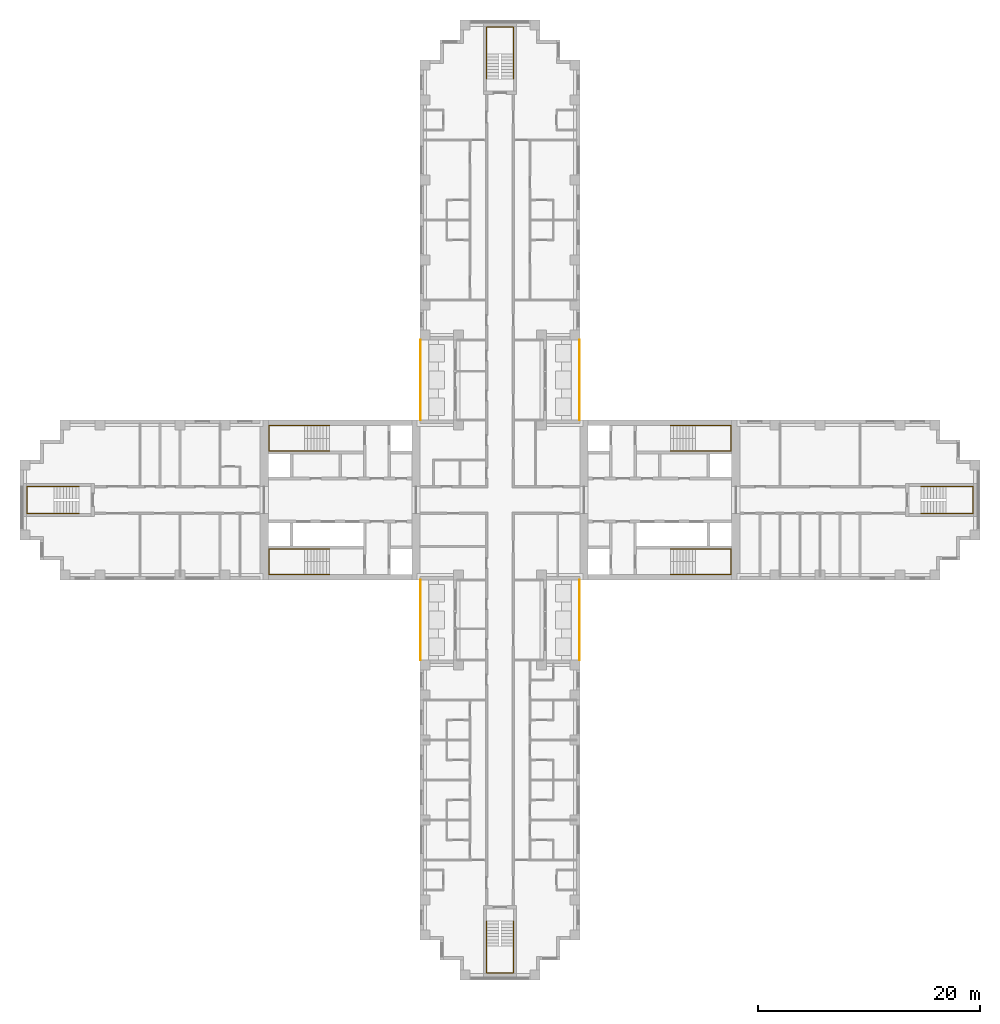
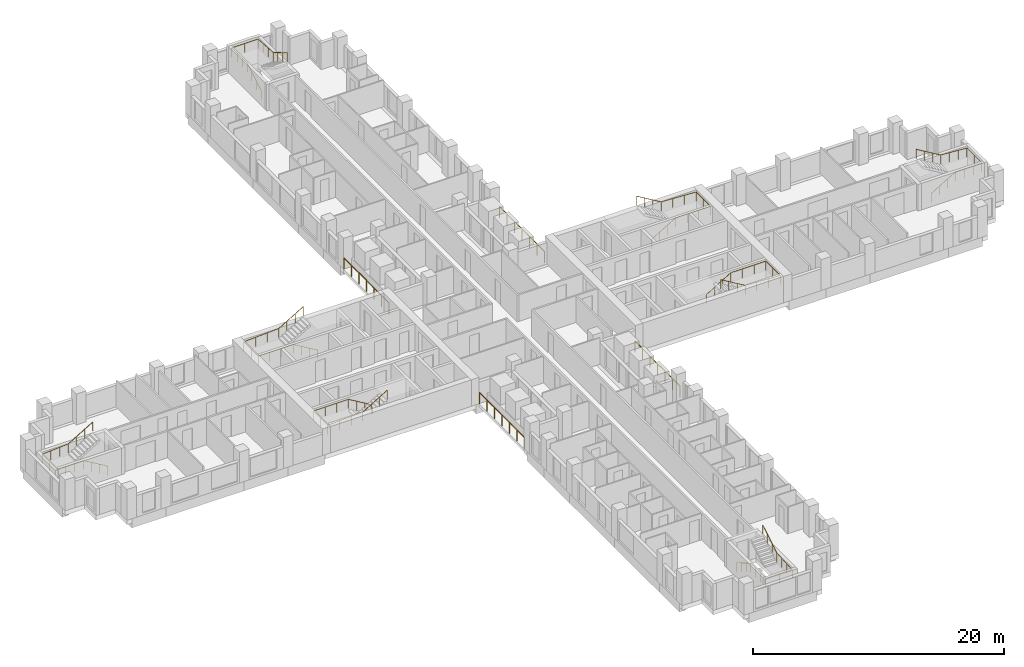
# One storey, part 15 of 16: 12 railings.
"""IFC4 building model written with IfcOpenShell, lengths in metres."""

from ifc_helpers import new_model, si_unit, direction, frame, origin, origin_2d, place, context, subcontext, project, spatial, circle, extrude, material, type_object, element, save


model = new_model("IFC4")

# Units and contexts
model_context = context("Model", 3, precision=1e-05, world=origin(), true_north=direction((0.0, 1.0)))
body_context = subcontext(model_context, "Body", "Model", "MODEL_VIEW")
ifc_project = project(units=[si_unit("LENGTHUNIT", "METRE"), si_unit("AREAUNIT", "SQUARE_METRE"), si_unit("VOLUMEUNIT", "CUBIC_METRE"), si_unit("PLANEANGLEUNIT", "RADIAN"), si_unit("MASSUNIT", "GRAM", prefix="KILO")], contexts=[model_context])

# Site, building, storey
site_placement = place(None, origin())
site = spatial("IfcSite", under=ifc_project, at=site_placement, CompositionType="ELEMENT")
building_placement = place(site_placement, origin())
building = spatial("IfcBuilding", under=site, at=building_placement, Name="Fustian Cross Tower", CompositionType="ELEMENT")
storey_placement = place(building_placement, frame((0.0, 0.0, 23.699951171875)))
storey = spatial("IfcBuildingStorey", under=building, at=storey_placement, Name="L06", CompositionType="ELEMENT", Elevation=23.699951171875)

# Railings
ifc_material_1 = material(Name="Stainless steel and glass", Category="steel")
railing_type_1 = type_object("IfcRailingType", Name="GR1 BALCONY GUARD 1100", PredefinedType="GUARDRAIL", material=ifc_material_1)
for number, where, name in (
    (1, (7.14990234375, 7.199951171875, 0.0), "Balcony guard"),
    (2, (-7.14990234375, 7.199951171875, 0.0), "Balcony guard"),
    (3, (7.14990234375, -14.39990234375, 0.0), "Balcony guard"),
    (4, (-7.14990234375, -14.39990234375, 0.0), "Balcony guard"),
):
    element("IfcRailing", number, at=place(storey_placement, frame(where)), inside=storey, type_object=railing_type_1, Name=name, PredefinedType="GUARDRAIL", context=body_context, shape_type="SweptSolid", body=[
        extrude(circle(Radius=0.02392578125, at=origin_2d()), frame((0.0, 0.0, 1.076171875), z_axis=(0.0, 1.0, 0.0), x_axis=(-1.0, 0.0, 0.0)), (0.0, 0.0, 1.0), 7.199951171875),
        extrude(circle(Radius=0.02099609375, at=origin_2d()), origin(), (0.0, 0.0, 1.0), 1.052001953125),
        extrude(circle(Radius=0.02099609375, at=origin_2d()), frame((0.0, 1.199951171875, 0.0)), (0.0, 0.0, 1.0), 1.052001953125),
        extrude(circle(Radius=0.02099609375, at=origin_2d()), frame((0.0, 2.39990234375, 0.0)), (0.0, 0.0, 1.0), 1.052001953125),
        extrude(circle(Radius=0.02099609375, at=origin_2d()), frame((0.0, 3.60009765625, 0.0)), (0.0, 0.0, 1.0), 1.052001953125),
        extrude(circle(Radius=0.02099609375, at=origin_2d()), frame((0.0, 4.800048828125, 0.0)), (0.0, 0.0, 1.0), 1.052001953125),
        extrude(circle(Radius=0.02099609375, at=origin_2d()), frame((0.0, 6.0, 0.0)), (0.0, 0.0, 1.0), 1.052001953125),
        extrude(circle(Radius=0.02099609375, at=origin_2d()), frame((0.0, 7.199951171875, 0.0)), (0.0, 0.0, 1.0), 1.052001953125),
    ])
ifc_material_2 = material(Name="Stainless steel", Category="steel")
railing_type_2 = type_object("IfcRailingType", Name="STAIR HANDRAIL", PredefinedType="HANDRAIL", material=ifc_material_2)
railing_1_placement = place(storey_placement, frame((15.35009765625, 4.39990234375, 0.166748046875)))
element("IfcRailing", 5, at=railing_1_placement, inside=storey, type_object=railing_type_2, Name="Stair ST1 handrail 1", PredefinedType="HANDRAIL", context=body_context, shape_type="SweptSolid", body=[
    extrude(circle(Radius=0.02490234375, at=origin_2d()), frame((0.0, 0.0, 0.875), z_axis=(0.859305625298, 0.0, 0.511462454469), x_axis=(0.0, 1.0, 0.0)), (0.0, 0.0, 1.0), 2.606689453125),
    extrude(circle(Radius=0.02490234375, at=origin_2d()), frame((2.239990234375, 0.0, 2.2080078125), z_axis=(1.0, 0.0, 0.0), x_axis=(0.0, 1.0, 0.0)), (0.0, 0.0, 1.0), 3.219970703125),
    extrude(circle(Radius=0.02490234375, at=origin_2d()), frame((5.4599609375, 0.0, 2.2080078125), z_axis=(0.0, 1.0, 0.0), x_axis=(-1.0, 0.0, 0.0)), (0.0, 0.0, 1.0), 2.300048828125),
    extrude(circle(Radius=0.02490234375, at=origin_2d()), frame((5.4599609375, 2.300048828125, 2.2080078125), z_axis=(-0.998661817807, 0.0, 0.051716280352), x_axis=(0.0, -1.0, 0.0)), (0.0, 0.0, 1.0), 3.224365234375),
    extrude(circle(Radius=0.02490234375, at=origin_2d()), frame((2.239990234375, 2.300048828125, 2.375), z_axis=(-0.859305625298, 0.0, 0.511462454469), x_axis=(0.0, -1.0, 0.0)), (0.0, 0.0, 1.0), 2.606689453125),
    extrude(circle(Radius=0.02001953125, at=origin_2d()), origin(), (0.0, 0.0, 1.0), 0.849853515625),
    extrude(circle(Radius=0.02001953125, at=origin_2d()), frame((0.74658203125, 0.0, 0.4443359375)), (0.0, 0.0, 1.0), 0.849853515625),
    extrude(circle(Radius=0.02001953125, at=origin_2d()), frame((1.493408203125, 0.0, 0.888916015625)), (0.0, 0.0, 1.0), 0.849853515625),
    extrude(circle(Radius=0.02001953125, at=origin_2d()), frame((2.239990234375, 0.0, 1.333251953125)), (0.0, 0.0, 1.0), 0.849853515625),
    extrude(circle(Radius=0.02001953125, at=origin_2d()), frame((3.313232421875, 0.0, 1.333251953125)), (0.0, 0.0, 1.0), 0.849853515625),
    extrude(circle(Radius=0.02001953125, at=origin_2d()), frame((4.38671875, 0.0, 1.333251953125)), (0.0, 0.0, 1.0), 0.849853515625),
    extrude(circle(Radius=0.02001953125, at=origin_2d()), frame((5.4599609375, 0.0, 1.333251953125)), (0.0, 0.0, 1.0), 0.849853515625),
    extrude(circle(Radius=0.02001953125, at=origin_2d()), frame((5.4599609375, 1.14990234375, 1.333251953125)), (0.0, 0.0, 1.0), 0.849853515625),
    extrude(circle(Radius=0.02001953125, at=origin_2d()), frame((5.4599609375, 2.300048828125, 1.333251953125)), (0.0, 0.0, 1.0), 0.849853515625),
    extrude(circle(Radius=0.02001953125, at=origin_2d()), frame((4.38671875, 2.300048828125, 1.388916015625)), (0.0, 0.0, 1.0), 0.849853515625),
    extrude(circle(Radius=0.02001953125, at=origin_2d()), frame((3.313232421875, 2.300048828125, 1.4443359375)), (0.0, 0.0, 1.0), 0.849853515625),
    extrude(circle(Radius=0.02001953125, at=origin_2d()), frame((2.239990234375, 2.300048828125, 1.5)), (0.0, 0.0, 1.0), 0.849853515625),
    extrude(circle(Radius=0.02001953125, at=origin_2d()), frame((1.493408203125, 2.300048828125, 1.9443359375)), (0.0, 0.0, 1.0), 0.849853515625),
    extrude(circle(Radius=0.02001953125, at=origin_2d()), frame((0.74658203125, 2.300048828125, 2.388916015625)), (0.0, 0.0, 1.0), 0.849853515625),
    extrude(circle(Radius=0.02001953125, at=origin_2d()), frame((0.0, 2.300048828125, 2.833251953125)), (0.0, 0.0, 1.0), 0.849853515625),
])
railing_2_placement = place(storey_placement, frame((15.35009765625, -4.39990234375, 0.166748046875)))
element("IfcRailing", 6, at=railing_2_placement, inside=storey, type_object=railing_type_2, Name="Stair ST2 handrail 1", PredefinedType="HANDRAIL", context=body_context, shape_type="SweptSolid", body=[
    extrude(circle(Radius=0.02490234375, at=origin_2d()), frame((0.0, 0.0, 0.875), z_axis=(0.859305625298, 0.0, 0.511462454469), x_axis=(0.0, 1.0, 0.0)), (0.0, 0.0, 1.0), 2.606689453125),
    extrude(circle(Radius=0.02490234375, at=origin_2d()), frame((2.239990234375, 0.0, 2.2080078125), z_axis=(1.0, 0.0, 0.0), x_axis=(0.0, 1.0, 0.0)), (0.0, 0.0, 1.0), 3.219970703125),
    extrude(circle(Radius=0.02490234375, at=origin_2d()), frame((5.4599609375, 0.0, 2.2080078125), z_axis=(0.0, -1.0, 0.0), x_axis=(1.0, 0.0, 0.0)), (0.0, 0.0, 1.0), 2.300048828125),
    extrude(circle(Radius=0.02490234375, at=origin_2d()), frame((5.4599609375, -2.300048828125, 2.2080078125), z_axis=(-0.998661817807, 0.0, 0.051716280352), x_axis=(0.0, -1.0, 0.0)), (0.0, 0.0, 1.0), 3.224365234375),
    extrude(circle(Radius=0.02490234375, at=origin_2d()), frame((2.239990234375, -2.300048828125, 2.375), z_axis=(-0.859305625298, 0.0, 0.511462454469), x_axis=(0.0, -1.0, 0.0)), (0.0, 0.0, 1.0), 2.606689453125),
    extrude(circle(Radius=0.02001953125, at=origin_2d()), origin(), (0.0, 0.0, 1.0), 0.849853515625),
    extrude(circle(Radius=0.02001953125, at=origin_2d()), frame((0.74658203125, 0.0, 0.4443359375)), (0.0, 0.0, 1.0), 0.849853515625),
    extrude(circle(Radius=0.02001953125, at=origin_2d()), frame((1.493408203125, 0.0, 0.888916015625)), (0.0, 0.0, 1.0), 0.849853515625),
    extrude(circle(Radius=0.02001953125, at=origin_2d()), frame((2.239990234375, 0.0, 1.333251953125)), (0.0, 0.0, 1.0), 0.849853515625),
    extrude(circle(Radius=0.02001953125, at=origin_2d()), frame((3.313232421875, 0.0, 1.333251953125)), (0.0, 0.0, 1.0), 0.849853515625),
    extrude(circle(Radius=0.02001953125, at=origin_2d()), frame((4.38671875, 0.0, 1.333251953125)), (0.0, 0.0, 1.0), 0.849853515625),
    extrude(circle(Radius=0.02001953125, at=origin_2d()), frame((5.4599609375, 0.0, 1.333251953125)), (0.0, 0.0, 1.0), 0.849853515625),
    extrude(circle(Radius=0.02001953125, at=origin_2d()), frame((5.4599609375, -1.14990234375, 1.333251953125)), (0.0, 0.0, 1.0), 0.849853515625),
    extrude(circle(Radius=0.02001953125, at=origin_2d()), frame((5.4599609375, -2.300048828125, 1.333251953125)), (0.0, 0.0, 1.0), 0.849853515625),
    extrude(circle(Radius=0.02001953125, at=origin_2d()), frame((4.38671875, -2.300048828125, 1.388916015625)), (0.0, 0.0, 1.0), 0.849853515625),
    extrude(circle(Radius=0.02001953125, at=origin_2d()), frame((3.313232421875, -2.300048828125, 1.4443359375)), (0.0, 0.0, 1.0), 0.849853515625),
    extrude(circle(Radius=0.02001953125, at=origin_2d()), frame((2.239990234375, -2.300048828125, 1.5)), (0.0, 0.0, 1.0), 0.849853515625),
    extrude(circle(Radius=0.02001953125, at=origin_2d()), frame((1.493408203125, -2.300048828125, 1.9443359375)), (0.0, 0.0, 1.0), 0.849853515625),
    extrude(circle(Radius=0.02001953125, at=origin_2d()), frame((0.74658203125, -2.300048828125, 2.388916015625)), (0.0, 0.0, 1.0), 0.849853515625),
    extrude(circle(Radius=0.02001953125, at=origin_2d()), frame((0.0, -2.300048828125, 2.833251953125)), (0.0, 0.0, 1.0), 0.849853515625),
])
railing_3_placement = place(storey_placement, frame((-15.35009765625, 4.39990234375, 0.166748046875)))
element("IfcRailing", 7, at=railing_3_placement, inside=storey, type_object=railing_type_2, Name="Stair ST3 handrail 1", PredefinedType="HANDRAIL", context=body_context, shape_type="SweptSolid", body=[
    extrude(circle(Radius=0.02490234375, at=origin_2d()), frame((0.0, 0.0, 0.875), z_axis=(-0.859305625298, 0.0, 0.511462454469), x_axis=(0.0, -1.0, 0.0)), (0.0, 0.0, 1.0), 2.606689453125),
    extrude(circle(Radius=0.02490234375, at=origin_2d()), frame((-2.239990234375, 0.0, 2.2080078125), z_axis=(-1.0, 0.0, 0.0), x_axis=(0.0, -1.0, 0.0)), (0.0, 0.0, 1.0), 3.219970703125),
    extrude(circle(Radius=0.02490234375, at=origin_2d()), frame((-5.4599609375, 0.0, 2.2080078125), z_axis=(0.0, 1.0, 0.0), x_axis=(-1.0, 0.0, 0.0)), (0.0, 0.0, 1.0), 2.300048828125),
    extrude(circle(Radius=0.02490234375, at=origin_2d()), frame((-5.4599609375, 2.300048828125, 2.2080078125), z_axis=(0.998661817807, 0.0, 0.051716280352), x_axis=(0.0, 1.0, 0.0)), (0.0, 0.0, 1.0), 3.224365234375),
    extrude(circle(Radius=0.02490234375, at=origin_2d()), frame((-2.239990234375, 2.300048828125, 2.375), z_axis=(0.859305625298, 0.0, 0.511462454469), x_axis=(0.0, 1.0, 0.0)), (0.0, 0.0, 1.0), 2.606689453125),
    extrude(circle(Radius=0.02001953125, at=origin_2d()), origin(), (0.0, 0.0, 1.0), 0.849853515625),
    extrude(circle(Radius=0.02001953125, at=origin_2d()), frame((-0.74658203125, 0.0, 0.4443359375)), (0.0, 0.0, 1.0), 0.849853515625),
    extrude(circle(Radius=0.02001953125, at=origin_2d()), frame((-1.493408203125, 0.0, 0.888916015625)), (0.0, 0.0, 1.0), 0.849853515625),
    extrude(circle(Radius=0.02001953125, at=origin_2d()), frame((-2.239990234375, 0.0, 1.333251953125)), (0.0, 0.0, 1.0), 0.849853515625),
    extrude(circle(Radius=0.02001953125, at=origin_2d()), frame((-3.313232421875, 0.0, 1.333251953125)), (0.0, 0.0, 1.0), 0.849853515625),
    extrude(circle(Radius=0.02001953125, at=origin_2d()), frame((-4.38671875, 0.0, 1.333251953125)), (0.0, 0.0, 1.0), 0.849853515625),
    extrude(circle(Radius=0.02001953125, at=origin_2d()), frame((-5.4599609375, 0.0, 1.333251953125)), (0.0, 0.0, 1.0), 0.849853515625),
    extrude(circle(Radius=0.02001953125, at=origin_2d()), frame((-5.4599609375, 1.14990234375, 1.333251953125)), (0.0, 0.0, 1.0), 0.849853515625),
    extrude(circle(Radius=0.02001953125, at=origin_2d()), frame((-5.4599609375, 2.300048828125, 1.333251953125)), (0.0, 0.0, 1.0), 0.849853515625),
    extrude(circle(Radius=0.02001953125, at=origin_2d()), frame((-4.38671875, 2.300048828125, 1.388916015625)), (0.0, 0.0, 1.0), 0.849853515625),
    extrude(circle(Radius=0.02001953125, at=origin_2d()), frame((-3.313232421875, 2.300048828125, 1.4443359375)), (0.0, 0.0, 1.0), 0.849853515625),
    extrude(circle(Radius=0.02001953125, at=origin_2d()), frame((-2.239990234375, 2.300048828125, 1.5)), (0.0, 0.0, 1.0), 0.849853515625),
    extrude(circle(Radius=0.02001953125, at=origin_2d()), frame((-1.493408203125, 2.300048828125, 1.9443359375)), (0.0, 0.0, 1.0), 0.849853515625),
    extrude(circle(Radius=0.02001953125, at=origin_2d()), frame((-0.74658203125, 2.300048828125, 2.388916015625)), (0.0, 0.0, 1.0), 0.849853515625),
    extrude(circle(Radius=0.02001953125, at=origin_2d()), frame((0.0, 2.300048828125, 2.833251953125)), (0.0, 0.0, 1.0), 0.849853515625),
])
railing_4_placement = place(storey_placement, frame((-15.35009765625, -4.39990234375, 0.166748046875)))
element("IfcRailing", 8, at=railing_4_placement, inside=storey, type_object=railing_type_2, Name="Stair ST4 handrail 1", PredefinedType="HANDRAIL", context=body_context, shape_type="SweptSolid", body=[
    extrude(circle(Radius=0.02490234375, at=origin_2d()), frame((0.0, 0.0, 0.875), z_axis=(-0.859305625298, 0.0, 0.511462454469), x_axis=(0.0, -1.0, 0.0)), (0.0, 0.0, 1.0), 2.606689453125),
    extrude(circle(Radius=0.02490234375, at=origin_2d()), frame((-2.239990234375, 0.0, 2.2080078125), z_axis=(-1.0, 0.0, 0.0), x_axis=(0.0, -1.0, 0.0)), (0.0, 0.0, 1.0), 3.219970703125),
    extrude(circle(Radius=0.02490234375, at=origin_2d()), frame((-5.4599609375, 0.0, 2.2080078125), z_axis=(0.0, -1.0, 0.0), x_axis=(1.0, 0.0, 0.0)), (0.0, 0.0, 1.0), 2.300048828125),
    extrude(circle(Radius=0.02490234375, at=origin_2d()), frame((-5.4599609375, -2.300048828125, 2.2080078125), z_axis=(0.998661817807, 0.0, 0.051716280352), x_axis=(0.0, 1.0, 0.0)), (0.0, 0.0, 1.0), 3.224365234375),
    extrude(circle(Radius=0.02490234375, at=origin_2d()), frame((-2.239990234375, -2.300048828125, 2.375), z_axis=(0.859305625298, 0.0, 0.511462454469), x_axis=(0.0, 1.0, 0.0)), (0.0, 0.0, 1.0), 2.606689453125),
    extrude(circle(Radius=0.02001953125, at=origin_2d()), origin(), (0.0, 0.0, 1.0), 0.849853515625),
    extrude(circle(Radius=0.02001953125, at=origin_2d()), frame((-0.74658203125, 0.0, 0.4443359375)), (0.0, 0.0, 1.0), 0.849853515625),
    extrude(circle(Radius=0.02001953125, at=origin_2d()), frame((-1.493408203125, 0.0, 0.888916015625)), (0.0, 0.0, 1.0), 0.849853515625),
    extrude(circle(Radius=0.02001953125, at=origin_2d()), frame((-2.239990234375, 0.0, 1.333251953125)), (0.0, 0.0, 1.0), 0.849853515625),
    extrude(circle(Radius=0.02001953125, at=origin_2d()), frame((-3.313232421875, 0.0, 1.333251953125)), (0.0, 0.0, 1.0), 0.849853515625),
    extrude(circle(Radius=0.02001953125, at=origin_2d()), frame((-4.38671875, 0.0, 1.333251953125)), (0.0, 0.0, 1.0), 0.849853515625),
    extrude(circle(Radius=0.02001953125, at=origin_2d()), frame((-5.4599609375, 0.0, 1.333251953125)), (0.0, 0.0, 1.0), 0.849853515625),
    extrude(circle(Radius=0.02001953125, at=origin_2d()), frame((-5.4599609375, -1.14990234375, 1.333251953125)), (0.0, 0.0, 1.0), 0.849853515625),
    extrude(circle(Radius=0.02001953125, at=origin_2d()), frame((-5.4599609375, -2.300048828125, 1.333251953125)), (0.0, 0.0, 1.0), 0.849853515625),
    extrude(circle(Radius=0.02001953125, at=origin_2d()), frame((-4.38671875, -2.300048828125, 1.388916015625)), (0.0, 0.0, 1.0), 0.849853515625),
    extrude(circle(Radius=0.02001953125, at=origin_2d()), frame((-3.313232421875, -2.300048828125, 1.4443359375)), (0.0, 0.0, 1.0), 0.849853515625),
    extrude(circle(Radius=0.02001953125, at=origin_2d()), frame((-2.239990234375, -2.300048828125, 1.5)), (0.0, 0.0, 1.0), 0.849853515625),
    extrude(circle(Radius=0.02001953125, at=origin_2d()), frame((-1.493408203125, -2.300048828125, 1.9443359375)), (0.0, 0.0, 1.0), 0.849853515625),
    extrude(circle(Radius=0.02001953125, at=origin_2d()), frame((-0.74658203125, -2.300048828125, 2.388916015625)), (0.0, 0.0, 1.0), 0.849853515625),
    extrude(circle(Radius=0.02001953125, at=origin_2d()), frame((0.0, -2.300048828125, 2.833251953125)), (0.0, 0.0, 1.0), 0.849853515625),
])
railing_5_placement = place(storey_placement, frame((-1.199951171875, 37.89990234375, 0.166748046875)))
element("IfcRailing", 9, at=railing_5_placement, inside=storey, type_object=railing_type_2, Name="Stair ST5 handrail 1", PredefinedType="HANDRAIL", context=body_context, shape_type="SweptSolid", body=[
    extrude(circle(Radius=0.02490234375, at=origin_2d()), frame((0.0, 0.0, 0.875), z_axis=(0.0, 0.859305625298, 0.511462454469), x_axis=(-1.0, 0.0, 0.0)), (0.0, 0.0, 1.0), 2.606689453125),
    extrude(circle(Radius=0.02490234375, at=origin_2d()), frame((0.0, 2.239990234375, 2.2080078125), z_axis=(0.0, 1.0, 0.0), x_axis=(-1.0, 0.0, 0.0)), (0.0, 0.0, 1.0), 2.420166015625),
    extrude(circle(Radius=0.02490234375, at=origin_2d()), frame((0.0, 4.66015625, 2.2080078125), z_axis=(1.0, 0.0, 0.0), x_axis=(0.0, 1.0, 0.0)), (0.0, 0.0, 1.0), 2.39990234375),
    extrude(circle(Radius=0.02490234375, at=origin_2d()), frame((2.39990234375, 4.66015625, 2.2080078125), z_axis=(0.0, -0.997634852044, 0.068736467663), x_axis=(1.0, 0.0, 0.0)), (0.0, 0.0, 1.0), 2.426025390625),
    extrude(circle(Radius=0.02490234375, at=origin_2d()), frame((2.39990234375, 2.239990234375, 2.375), z_axis=(0.0, -0.859305625298, 0.511462454469), x_axis=(1.0, 0.0, 0.0)), (0.0, 0.0, 1.0), 2.606689453125),
    extrude(circle(Radius=0.02001953125, at=origin_2d()), origin(), (0.0, 0.0, 1.0), 0.849853515625),
    extrude(circle(Radius=0.02001953125, at=origin_2d()), frame((0.0, 0.74658203125, 0.4443359375)), (0.0, 0.0, 1.0), 0.849853515625),
    extrude(circle(Radius=0.02001953125, at=origin_2d()), frame((0.0, 1.493408203125, 0.888916015625)), (0.0, 0.0, 1.0), 0.849853515625),
    extrude(circle(Radius=0.02001953125, at=origin_2d()), frame((0.0, 2.239990234375, 1.333251953125)), (0.0, 0.0, 1.0), 0.849853515625),
    extrude(circle(Radius=0.02001953125, at=origin_2d()), frame((0.0, 3.046630859375, 1.333251953125)), (0.0, 0.0, 1.0), 0.849853515625),
    extrude(circle(Radius=0.02001953125, at=origin_2d()), frame((0.0, 3.853515625, 1.333251953125)), (0.0, 0.0, 1.0), 0.849853515625),
    extrude(circle(Radius=0.02001953125, at=origin_2d()), frame((0.0, 4.66015625, 1.333251953125)), (0.0, 0.0, 1.0), 0.849853515625),
    extrude(circle(Radius=0.02001953125, at=origin_2d()), frame((1.199951171875, 4.66015625, 1.333251953125)), (0.0, 0.0, 1.0), 0.849853515625),
    extrude(circle(Radius=0.02001953125, at=origin_2d()), frame((2.39990234375, 4.66015625, 1.333251953125)), (0.0, 0.0, 1.0), 0.849853515625),
    extrude(circle(Radius=0.02001953125, at=origin_2d()), frame((2.39990234375, 3.853515625, 1.388916015625)), (0.0, 0.0, 1.0), 0.849853515625),
    extrude(circle(Radius=0.02001953125, at=origin_2d()), frame((2.39990234375, 3.046630859375, 1.4443359375)), (0.0, 0.0, 1.0), 0.849853515625),
    extrude(circle(Radius=0.02001953125, at=origin_2d()), frame((2.39990234375, 2.239990234375, 1.5)), (0.0, 0.0, 1.0), 0.849853515625),
    extrude(circle(Radius=0.02001953125, at=origin_2d()), frame((2.39990234375, 1.493408203125, 1.9443359375)), (0.0, 0.0, 1.0), 0.849853515625),
    extrude(circle(Radius=0.02001953125, at=origin_2d()), frame((2.39990234375, 0.74658203125, 2.388916015625)), (0.0, 0.0, 1.0), 0.849853515625),
    extrude(circle(Radius=0.02001953125, at=origin_2d()), frame((2.39990234375, 0.0, 2.833251953125)), (0.0, 0.0, 1.0), 0.849853515625),
])
railing_6_placement = place(storey_placement, frame((-1.199951171875, -37.89990234375, 0.166748046875)))
element("IfcRailing", 10, at=railing_6_placement, inside=storey, type_object=railing_type_2, Name="Stair ST6 handrail 1", PredefinedType="HANDRAIL", context=body_context, shape_type="SweptSolid", body=[
    extrude(circle(Radius=0.02490234375, at=origin_2d()), frame((0.0, 0.0, 0.875), z_axis=(0.0, -0.859305625298, 0.511462454469), x_axis=(1.0, 0.0, 0.0)), (0.0, 0.0, 1.0), 2.606689453125),
    extrude(circle(Radius=0.02490234375, at=origin_2d()), frame((0.0, -2.239990234375, 2.2080078125), z_axis=(0.0, -1.0, 0.0), x_axis=(1.0, 0.0, 0.0)), (0.0, 0.0, 1.0), 2.420166015625),
    extrude(circle(Radius=0.02490234375, at=origin_2d()), frame((0.0, -4.66015625, 2.2080078125), z_axis=(1.0, 0.0, 0.0), x_axis=(0.0, 1.0, 0.0)), (0.0, 0.0, 1.0), 2.39990234375),
    extrude(circle(Radius=0.02490234375, at=origin_2d()), frame((2.39990234375, -4.66015625, 2.2080078125), z_axis=(0.0, 0.997634852044, 0.068736467663), x_axis=(-1.0, 0.0, 0.0)), (0.0, 0.0, 1.0), 2.426025390625),
    extrude(circle(Radius=0.02490234375, at=origin_2d()), frame((2.39990234375, -2.239990234375, 2.375), z_axis=(0.0, 0.859305625298, 0.511462454469), x_axis=(-1.0, 0.0, 0.0)), (0.0, 0.0, 1.0), 2.606689453125),
    extrude(circle(Radius=0.02001953125, at=origin_2d()), origin(), (0.0, 0.0, 1.0), 0.849853515625),
    extrude(circle(Radius=0.02001953125, at=origin_2d()), frame((0.0, -0.74658203125, 0.4443359375)), (0.0, 0.0, 1.0), 0.849853515625),
    extrude(circle(Radius=0.02001953125, at=origin_2d()), frame((0.0, -1.493408203125, 0.888916015625)), (0.0, 0.0, 1.0), 0.849853515625),
    extrude(circle(Radius=0.02001953125, at=origin_2d()), frame((0.0, -2.239990234375, 1.333251953125)), (0.0, 0.0, 1.0), 0.849853515625),
    extrude(circle(Radius=0.02001953125, at=origin_2d()), frame((0.0, -3.046630859375, 1.333251953125)), (0.0, 0.0, 1.0), 0.849853515625),
    extrude(circle(Radius=0.02001953125, at=origin_2d()), frame((0.0, -3.853515625, 1.333251953125)), (0.0, 0.0, 1.0), 0.849853515625),
    extrude(circle(Radius=0.02001953125, at=origin_2d()), frame((0.0, -4.66015625, 1.333251953125)), (0.0, 0.0, 1.0), 0.849853515625),
    extrude(circle(Radius=0.02001953125, at=origin_2d()), frame((1.199951171875, -4.66015625, 1.333251953125)), (0.0, 0.0, 1.0), 0.849853515625),
    extrude(circle(Radius=0.02001953125, at=origin_2d()), frame((2.39990234375, -4.66015625, 1.333251953125)), (0.0, 0.0, 1.0), 0.849853515625),
    extrude(circle(Radius=0.02001953125, at=origin_2d()), frame((2.39990234375, -3.853515625, 1.388916015625)), (0.0, 0.0, 1.0), 0.849853515625),
    extrude(circle(Radius=0.02001953125, at=origin_2d()), frame((2.39990234375, -3.046630859375, 1.4443359375)), (0.0, 0.0, 1.0), 0.849853515625),
    extrude(circle(Radius=0.02001953125, at=origin_2d()), frame((2.39990234375, -2.239990234375, 1.5)), (0.0, 0.0, 1.0), 0.849853515625),
    extrude(circle(Radius=0.02001953125, at=origin_2d()), frame((2.39990234375, -1.493408203125, 1.9443359375)), (0.0, 0.0, 1.0), 0.849853515625),
    extrude(circle(Radius=0.02001953125, at=origin_2d()), frame((2.39990234375, -0.74658203125, 2.388916015625)), (0.0, 0.0, 1.0), 0.849853515625),
    extrude(circle(Radius=0.02001953125, at=origin_2d()), frame((2.39990234375, 0.0, 2.833251953125)), (0.0, 0.0, 1.0), 0.849853515625),
])
railing_7_placement = place(storey_placement, frame((37.89990234375, -1.199951171875, 0.166748046875)))
element("IfcRailing", 11, at=railing_7_placement, inside=storey, type_object=railing_type_2, Name="Stair ST8 handrail 1", PredefinedType="HANDRAIL", context=body_context, shape_type="SweptSolid", body=[
    extrude(circle(Radius=0.02490234375, at=origin_2d()), frame((0.0, 0.0, 0.875), z_axis=(0.859305625298, 0.0, 0.511462454469), x_axis=(0.0, 1.0, 0.0)), (0.0, 0.0, 1.0), 2.606689453125),
    extrude(circle(Radius=0.02490234375, at=origin_2d()), frame((2.239990234375, 0.0, 2.2080078125), z_axis=(1.0, 0.0, 0.0), x_axis=(0.0, 1.0, 0.0)), (0.0, 0.0, 1.0), 2.420166015625),
    extrude(circle(Radius=0.02490234375, at=origin_2d()), frame((4.66015625, 0.0, 2.2080078125), z_axis=(0.0, 1.0, 0.0), x_axis=(-1.0, 0.0, 0.0)), (0.0, 0.0, 1.0), 2.39990234375),
    extrude(circle(Radius=0.02490234375, at=origin_2d()), frame((4.66015625, 2.39990234375, 2.2080078125), z_axis=(-0.997634852044, 0.0, 0.068736467663), x_axis=(0.0, -1.0, 0.0)), (0.0, 0.0, 1.0), 2.426025390625),
    extrude(circle(Radius=0.02490234375, at=origin_2d()), frame((2.239990234375, 2.39990234375, 2.375), z_axis=(-0.859305625298, 0.0, 0.511462454469), x_axis=(0.0, -1.0, 0.0)), (0.0, 0.0, 1.0), 2.606689453125),
    extrude(circle(Radius=0.02001953125, at=origin_2d()), origin(), (0.0, 0.0, 1.0), 0.849853515625),
    extrude(circle(Radius=0.02001953125, at=origin_2d()), frame((0.74658203125, 0.0, 0.4443359375)), (0.0, 0.0, 1.0), 0.849853515625),
    extrude(circle(Radius=0.02001953125, at=origin_2d()), frame((1.493408203125, 0.0, 0.888916015625)), (0.0, 0.0, 1.0), 0.849853515625),
    extrude(circle(Radius=0.02001953125, at=origin_2d()), frame((2.239990234375, 0.0, 1.333251953125)), (0.0, 0.0, 1.0), 0.849853515625),
    extrude(circle(Radius=0.02001953125, at=origin_2d()), frame((3.046630859375, 0.0, 1.333251953125)), (0.0, 0.0, 1.0), 0.849853515625),
    extrude(circle(Radius=0.02001953125, at=origin_2d()), frame((3.853515625, 0.0, 1.333251953125)), (0.0, 0.0, 1.0), 0.849853515625),
    extrude(circle(Radius=0.02001953125, at=origin_2d()), frame((4.66015625, 0.0, 1.333251953125)), (0.0, 0.0, 1.0), 0.849853515625),
    extrude(circle(Radius=0.02001953125, at=origin_2d()), frame((4.66015625, 1.199951171875, 1.333251953125)), (0.0, 0.0, 1.0), 0.849853515625),
    extrude(circle(Radius=0.02001953125, at=origin_2d()), frame((4.66015625, 2.39990234375, 1.333251953125)), (0.0, 0.0, 1.0), 0.849853515625),
    extrude(circle(Radius=0.02001953125, at=origin_2d()), frame((3.853515625, 2.39990234375, 1.388916015625)), (0.0, 0.0, 1.0), 0.849853515625),
    extrude(circle(Radius=0.02001953125, at=origin_2d()), frame((3.046630859375, 2.39990234375, 1.4443359375)), (0.0, 0.0, 1.0), 0.849853515625),
    extrude(circle(Radius=0.02001953125, at=origin_2d()), frame((2.239990234375, 2.39990234375, 1.5)), (0.0, 0.0, 1.0), 0.849853515625),
    extrude(circle(Radius=0.02001953125, at=origin_2d()), frame((1.493408203125, 2.39990234375, 1.9443359375)), (0.0, 0.0, 1.0), 0.849853515625),
    extrude(circle(Radius=0.02001953125, at=origin_2d()), frame((0.74658203125, 2.39990234375, 2.388916015625)), (0.0, 0.0, 1.0), 0.849853515625),
    extrude(circle(Radius=0.02001953125, at=origin_2d()), frame((0.0, 2.39990234375, 2.833251953125)), (0.0, 0.0, 1.0), 0.849853515625),
])
railing_8_placement = place(storey_placement, frame((-37.89990234375, -1.199951171875, 0.166748046875)))
element("IfcRailing", 12, at=railing_8_placement, inside=storey, type_object=railing_type_2, Name="Stair ST9 handrail 1", PredefinedType="HANDRAIL", context=body_context, shape_type="SweptSolid", body=[
    extrude(circle(Radius=0.02490234375, at=origin_2d()), frame((0.0, 0.0, 0.875), z_axis=(-0.859305625298, 0.0, 0.511462454469), x_axis=(0.0, -1.0, 0.0)), (0.0, 0.0, 1.0), 2.606689453125),
    extrude(circle(Radius=0.02490234375, at=origin_2d()), frame((-2.239990234375, 0.0, 2.2080078125), z_axis=(-1.0, 0.0, 0.0), x_axis=(0.0, -1.0, 0.0)), (0.0, 0.0, 1.0), 2.420166015625),
    extrude(circle(Radius=0.02490234375, at=origin_2d()), frame((-4.66015625, 0.0, 2.2080078125), z_axis=(0.0, 1.0, 0.0), x_axis=(-1.0, 0.0, 0.0)), (0.0, 0.0, 1.0), 2.39990234375),
    extrude(circle(Radius=0.02490234375, at=origin_2d()), frame((-4.66015625, 2.39990234375, 2.2080078125), z_axis=(0.997634852044, 0.0, 0.068736467663), x_axis=(0.0, 1.0, 0.0)), (0.0, 0.0, 1.0), 2.426025390625),
    extrude(circle(Radius=0.02490234375, at=origin_2d()), frame((-2.239990234375, 2.39990234375, 2.375), z_axis=(0.859305625298, 0.0, 0.511462454469), x_axis=(0.0, 1.0, 0.0)), (0.0, 0.0, 1.0), 2.606689453125),
    extrude(circle(Radius=0.02001953125, at=origin_2d()), origin(), (0.0, 0.0, 1.0), 0.849853515625),
    extrude(circle(Radius=0.02001953125, at=origin_2d()), frame((-0.74658203125, 0.0, 0.4443359375)), (0.0, 0.0, 1.0), 0.849853515625),
    extrude(circle(Radius=0.02001953125, at=origin_2d()), frame((-1.493408203125, 0.0, 0.888916015625)), (0.0, 0.0, 1.0), 0.849853515625),
    extrude(circle(Radius=0.02001953125, at=origin_2d()), frame((-2.239990234375, 0.0, 1.333251953125)), (0.0, 0.0, 1.0), 0.849853515625),
    extrude(circle(Radius=0.02001953125, at=origin_2d()), frame((-3.046630859375, 0.0, 1.333251953125)), (0.0, 0.0, 1.0), 0.849853515625),
    extrude(circle(Radius=0.02001953125, at=origin_2d()), frame((-3.853515625, 0.0, 1.333251953125)), (0.0, 0.0, 1.0), 0.849853515625),
    extrude(circle(Radius=0.02001953125, at=origin_2d()), frame((-4.66015625, 0.0, 1.333251953125)), (0.0, 0.0, 1.0), 0.849853515625),
    extrude(circle(Radius=0.02001953125, at=origin_2d()), frame((-4.66015625, 1.199951171875, 1.333251953125)), (0.0, 0.0, 1.0), 0.849853515625),
    extrude(circle(Radius=0.02001953125, at=origin_2d()), frame((-4.66015625, 2.39990234375, 1.333251953125)), (0.0, 0.0, 1.0), 0.849853515625),
    extrude(circle(Radius=0.02001953125, at=origin_2d()), frame((-3.853515625, 2.39990234375, 1.388916015625)), (0.0, 0.0, 1.0), 0.849853515625),
    extrude(circle(Radius=0.02001953125, at=origin_2d()), frame((-3.046630859375, 2.39990234375, 1.4443359375)), (0.0, 0.0, 1.0), 0.849853515625),
    extrude(circle(Radius=0.02001953125, at=origin_2d()), frame((-2.239990234375, 2.39990234375, 1.5)), (0.0, 0.0, 1.0), 0.849853515625),
    extrude(circle(Radius=0.02001953125, at=origin_2d()), frame((-1.493408203125, 2.39990234375, 1.9443359375)), (0.0, 0.0, 1.0), 0.849853515625),
    extrude(circle(Radius=0.02001953125, at=origin_2d()), frame((-0.74658203125, 2.39990234375, 2.388916015625)), (0.0, 0.0, 1.0), 0.849853515625),
    extrude(circle(Radius=0.02001953125, at=origin_2d()), frame((0.0, 2.39990234375, 2.833251953125)), (0.0, 0.0, 1.0), 0.849853515625),
])

save(model, "model.ifc")
